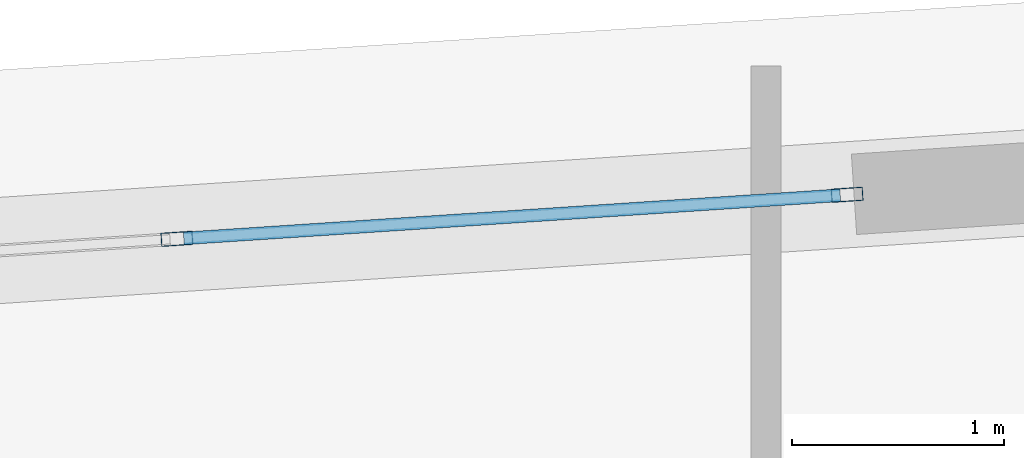
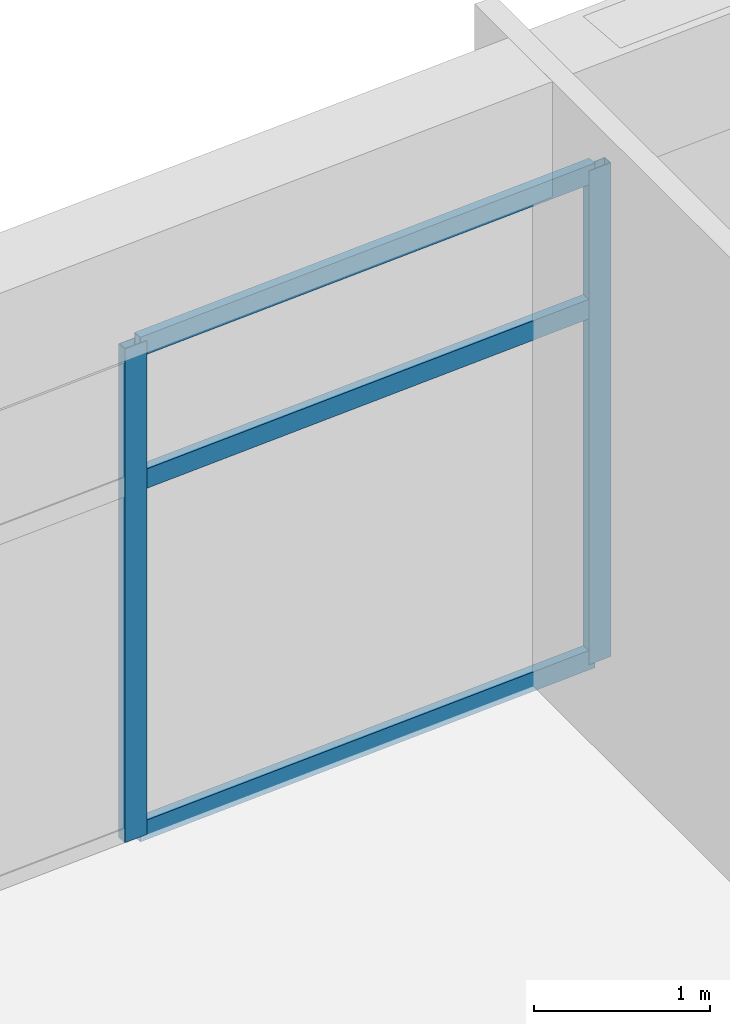
# One storey, part 20 of 35: 5 members, 1 element without a shape of its own.
"""IFC4 building model written with IfcOpenShell, lengths in metres."""

from ifc_helpers import new_model, si_unit, direction, frame, origin, origin_2d, place, context, subcontext, project, spatial, hollow_rectangle, extrude, source, transform, mapped, material, layer, layer_set, material_profile, profile_set, type_object, element, aggregate, save


model = new_model("IFC4")

# Units and contexts
model_context = context("Model", 3, precision=1e-05, world=origin(), true_north=direction((0.0, 1.0)))
body_context = subcontext(model_context, "Body", "Model", "MODEL_VIEW")
ifc_project = project(units=[si_unit("LENGTHUNIT", "METRE"), si_unit("AREAUNIT", "SQUARE_METRE"), si_unit("VOLUMEUNIT", "CUBIC_METRE"), si_unit("PLANEANGLEUNIT", "RADIAN"), si_unit("MASSUNIT", "GRAM", prefix="KILO")], contexts=[model_context])

# Site, building, storey
site_placement = place(None, origin())
site = spatial("IfcSite", under=ifc_project, at=site_placement, CompositionType="ELEMENT")
building_placement = place(site_placement, origin())
building = spatial("IfcBuilding", under=site, at=building_placement, Name="Liaohun Quay Tower", CompositionType="ELEMENT")
storey_placement = place(building_placement, frame((0.0, 0.0, 282.0)))
storey = spatial("IfcBuildingStorey", under=building, at=storey_placement, Name="L73", CompositionType="ELEMENT", Elevation=282.0)

# Curtain wall, members
ifc_material_1 = material(Name="Upper sky-lobby belvedere curtain wall")
ifc_layer = layer(ifc_material_1, 0.199951171875, Name="Upper sky-lobby belvedere curtain wall")
ifc_layer_set = layer_set([ifc_layer], Name="Upper sky-lobby belvedere curtain wall")
curtain_wall_type = type_object("IfcCurtainWallType", Name="CW-SKY-L73", PredefinedType="NOTDEFINED", material=ifc_layer_set)
curtain_wall_placement = place(storey_placement, origin())
curtain_wall = element("IfcCurtainWall", 1, at=curtain_wall_placement, inside=storey, type_object=curtain_wall_type, Name="L73 Panoramic Belvedere Curtain Wall 04", PredefinedType="NOTDEFINED")
ifc_material_2 = material(Name="Anodised aluminium 6063-T6", Category="aluminium")
ifc_material_profile_1 = material_profile(ifc_material_2, hollow_rectangle(XDim=0.06494140625, YDim=0.14990234375, WallThickness=0.00390625, at=origin_2d()), Name="RHS150x65x4")
ifc_profile_set_1 = profile_set([ifc_material_profile_1], Name="Anodised aluminium 6063-T6")
member_type_1 = type_object("IfcMemberType", Name="MEM-CWM-SKY", PredefinedType="MULLION", material=ifc_profile_set_1)
shared_shape_1 = source(origin(), body_context, "Body", "SweptSolid", [
    extrude(hollow_rectangle(XDim=0.06494140625, YDim=0.14990234375, WallThickness=0.00390625, at=origin_2d()), origin(), (0.0, 0.0, 1.0), 3.419921875),
])
member_1_placement = place(storey_placement, frame((51.382568359375, 75.953857421875, 0.0), z_axis=(0.0, 0.0, 1.0), x_axis=(0.065616855264, -0.997844891907, 0.0)))
member_1 = element("IfcMember", 2, at=member_1_placement, type_object=member_type_1, Name="CW5 mullion 1", PredefinedType="MULLION", context=body_context, shape_type="MappedRepresentation", body=[
    mapped(shared_shape_1, transform((0.0, 0.0, 0.0), x_axis=(1.0, 0.0, 0.0), y_axis=(0.0, 1.0, 0.0), z_axis=(0.0, 0.0, 1.0), scale=1.0)),
])
member_2_placement = place(storey_placement, frame((48.221435546875, 75.74609375, 0.0), z_axis=(0.0, 0.0, 1.0), x_axis=(0.065616855264, -0.997844891907, 0.0)))
member_2 = element("IfcMember", 3, at=member_2_placement, type_object=member_type_1, Name="CW5 mullion 2", PredefinedType="MULLION", context=body_context, shape_type="MappedRepresentation", body=[
    mapped(shared_shape_1, transform((0.0, 0.0, 0.0), x_axis=(1.0, 0.0, 0.0), y_axis=(0.0, 1.0, 0.0), z_axis=(0.0, 0.0, 1.0), scale=1.0)),
])
ifc_material_profile_2 = material_profile(ifc_material_2, hollow_rectangle(XDim=0.06005859375, YDim=0.135009765625, WallThickness=0.00390625, at=origin_2d()), Name="RHS135x60x4")
ifc_profile_set_2 = profile_set([ifc_material_profile_2], Name="Anodised aluminium 6063-T6")
member_type_2 = type_object("IfcMemberType", Name="MEM-CWT-SKY", PredefinedType="USERDEFINED", material=ifc_profile_set_2)
shared_shape_2 = source(origin(), body_context, "Body", "SweptSolid", [
    extrude(hollow_rectangle(XDim=0.06005859375, YDim=0.135009765625, WallThickness=0.00390625, at=origin_2d()), origin(), (0.0, 0.0, 1.0), 3.102783203125),
])
member_3_placement = place(storey_placement, frame((51.35009765625, 75.95166015625, 0.030029296875), z_axis=(-0.997844635401, -0.065620755869, 0.0), x_axis=(0.065620755869, -0.997844635401, 0.0)))
member_3 = element("IfcMember", 4, at=member_3_placement, type_object=member_type_2, Name="CW5 transom 1.1", ObjectType="TRANSOM", PredefinedType="USERDEFINED", context=body_context, shape_type="MappedRepresentation", body=[
    mapped(shared_shape_2, transform((0.0, 0.0, 0.0), x_axis=(1.0, 0.0, 0.0), y_axis=(0.0, 1.0, 0.0), z_axis=(0.0, 0.0, 1.0), scale=1.0)),
])
member_4_placement = place(storey_placement, frame((51.35009765625, 75.95166015625, 2.4619140625), z_axis=(-0.997844635401, -0.065620755869, 0.0), x_axis=(0.065620755869, -0.997844635401, 0.0)))
member_4 = element("IfcMember", 5, at=member_4_placement, type_object=member_type_2, Name="CW5 transom 1.2", ObjectType="TRANSOM", PredefinedType="USERDEFINED", context=body_context, shape_type="MappedRepresentation", body=[
    mapped(shared_shape_2, transform((0.0, 0.0, 0.0), x_axis=(1.0, 0.0, 0.0), y_axis=(0.0, 1.0, 0.0), z_axis=(0.0, 0.0, 1.0), scale=1.0)),
])
member_5_placement = place(storey_placement, frame((51.35009765625, 75.95166015625, 3.389892578125), z_axis=(-0.997844635401, -0.065620755869, 0.0), x_axis=(0.065620755869, -0.997844635401, 0.0)))
member_5 = element("IfcMember", 6, at=member_5_placement, type_object=member_type_2, Name="CW5 transom 1.3", ObjectType="TRANSOM", PredefinedType="USERDEFINED", context=body_context, shape_type="MappedRepresentation", body=[
    mapped(shared_shape_2, transform((0.0, 0.0, 0.0), x_axis=(1.0, 0.0, 0.0), y_axis=(0.0, 1.0, 0.0), z_axis=(0.0, 0.0, 1.0), scale=1.0)),
])
aggregate(curtain_wall, [member_1, member_2, member_3, member_4, member_5])

save(model, "model.ifc")
